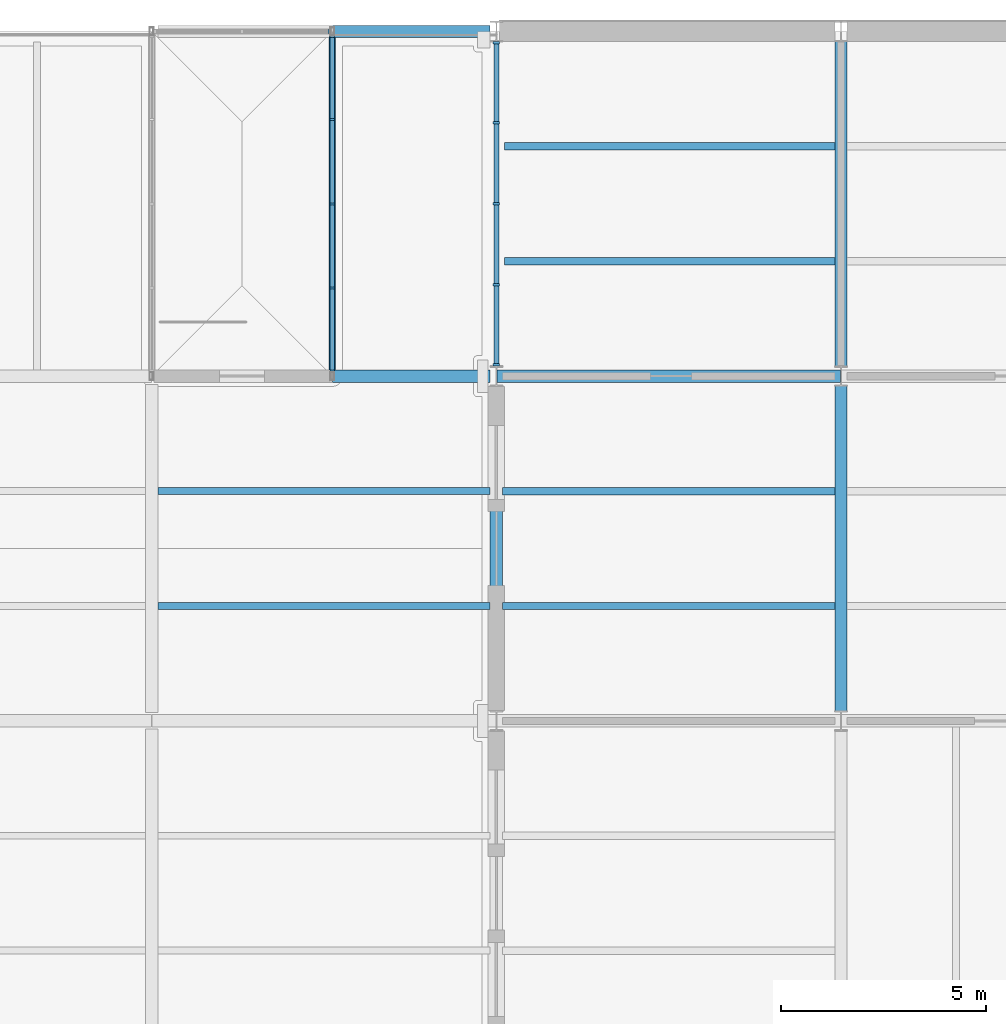
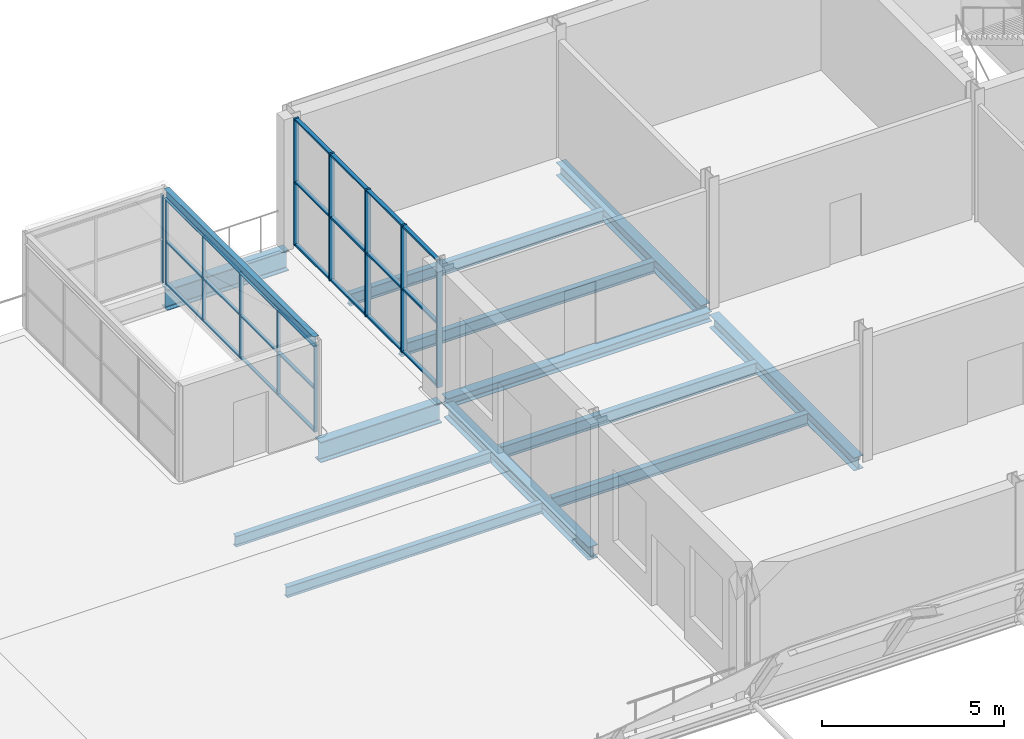
# One storey, part 30 of 58: 35 members, 13 beams, 3 elements without a shape of their own.
"""IFC4 building model written with IfcOpenShell, lengths in metres."""

from ifc_helpers import new_model, si_unit, direction, frame, origin, origin_2d, place, context, subcontext, project, spatial, rectangle, i_section, extrude, material, layer, layer_set, material_profile, profile_set, type_object, element, aggregate, save


model = new_model("IFC4")

# Units and contexts
model_context = context("Model", 3, precision=1e-05, world=origin(), true_north=direction((0.0, 1.0)))
body_context = subcontext(model_context, "Body", "Model", "MODEL_VIEW")
ifc_project = project(units=[si_unit("LENGTHUNIT", "METRE"), si_unit("AREAUNIT", "SQUARE_METRE"), si_unit("VOLUMEUNIT", "CUBIC_METRE"), si_unit("PLANEANGLEUNIT", "RADIAN"), si_unit("MASSUNIT", "GRAM", prefix="KILO")], contexts=[model_context])

# Site, building, storey
site_placement = place(None, origin())
site = spatial("IfcSite", under=ifc_project, at=site_placement, CompositionType="ELEMENT")
building_placement = place(site_placement, origin())
building = spatial("IfcBuilding", under=site, at=building_placement, Name="Galleria Vessillo Department Store", CompositionType="ELEMENT")
storey_placement = place(building_placement, frame((0.0, 0.0, 31.199951171875)))
storey = spatial("IfcBuildingStorey", under=building, at=storey_placement, Name="L06", CompositionType="ELEMENT", Elevation=31.199951171875)

# Curtain wall, members
ifc_material_1 = material(Name="Aluminium and glass curtain wall", Category="aluminium")
ifc_layer_1 = layer(ifc_material_1, 0.10009765625)
ifc_layer_set_1 = layer_set([ifc_layer_1], Name="Aluminium and glass curtain wall")
curtain_wall_type_1 = type_object("IfcCurtainWallType", Name="Pavilion curtain wall CW5 2100 module", PredefinedType="NOTDEFINED", material=ifc_layer_set_1)
curtain_wall_1_placement = place(storey_placement, origin())
curtain_wall_1 = element("IfcCurtainWall", 1, at=curtain_wall_1_placement, inside=storey, type_object=curtain_wall_type_1, Name="Pavilion curtain wall CW5 2100 module PV-ST6-B", PredefinedType="NOTDEFINED")
ifc_material_2 = material(Name="Aluminium alloy 6063 T6", Category="aluminium")
ifc_material_profile_1 = material_profile(ifc_material_2, rectangle(XDim=0.10009765625, YDim=0.050048828125, at=origin_2d()), Name="AL 50x100")
ifc_profile_set_1 = profile_set([ifc_material_profile_1], Name="Aluminium alloy 6063 T6")
member_type_1 = type_object("IfcMemberType", Name="Aluminium mullion 50 x 100", PredefinedType="MULLION", material=ifc_profile_set_1)
member_1_placement = place(storey_placement, frame((80.0, 54.72509765625, 0.0), z_axis=(0.0, 0.0, 1.0), x_axis=(-1.0, 0.0, 0.0)))
member_1 = element("IfcMember", 2, at=member_1_placement, type_object=member_type_1, Name="CW5 mullion 1", PredefinedType="MULLION", context=body_context, shape_type="SweptSolid", body=[
    extrude(rectangle(XDim=0.10009765625, YDim=0.050048828125, at=origin_2d()), origin(), (0.0, 0.0, 1.0), 2.8701171875),
])
member_2_placement = place(storey_placement, frame((80.0, 56.75, 0.0), z_axis=(0.0, 0.0, 1.0), x_axis=(-1.0, 0.0, 0.0)))
member_2 = element("IfcMember", 3, at=member_2_placement, type_object=member_type_1, Name="CW5 mullion 2", PredefinedType="MULLION", context=body_context, shape_type="SweptSolid", body=[
    extrude(rectangle(XDim=0.10009765625, YDim=0.050048828125, at=origin_2d()), origin(), (0.0, 0.0, 1.0), 2.8701171875),
])
member_3_placement = place(storey_placement, frame((80.0, 58.800048828125, 0.0), z_axis=(0.0, 0.0, 1.0), x_axis=(-1.0, 0.0, 0.0)))
member_3 = element("IfcMember", 4, at=member_3_placement, type_object=member_type_1, Name="CW5 mullion 3", PredefinedType="MULLION", context=body_context, shape_type="SweptSolid", body=[
    extrude(rectangle(XDim=0.10009765625, YDim=0.050048828125, at=origin_2d()), origin(), (0.0, 0.0, 1.0), 2.8701171875),
])
member_4_placement = place(storey_placement, frame((80.0, 60.85009765625, 0.0), z_axis=(0.0, 0.0, 1.0), x_axis=(-1.0, 0.0, 0.0)))
member_4 = element("IfcMember", 5, at=member_4_placement, type_object=member_type_1, Name="CW5 mullion 4", PredefinedType="MULLION", context=body_context, shape_type="SweptSolid", body=[
    extrude(rectangle(XDim=0.10009765625, YDim=0.050048828125, at=origin_2d()), origin(), (0.0, 0.0, 1.0), 2.8701171875),
])
member_5_placement = place(storey_placement, frame((80.0, 62.875, 0.0), z_axis=(0.0, 0.0, 1.0), x_axis=(-1.0, 0.0, 0.0)))
member_5 = element("IfcMember", 6, at=member_5_placement, type_object=member_type_1, Name="CW5 mullion 5", PredefinedType="MULLION", context=body_context, shape_type="SweptSolid", body=[
    extrude(rectangle(XDim=0.10009765625, YDim=0.050048828125, at=origin_2d()), origin(), (0.0, 0.0, 1.0), 2.8701171875),
])

# Curtain wall, member
curtain_wall_2_placement = place(storey_placement, origin())
curtain_wall_2 = element("IfcCurtainWall", 7, at=curtain_wall_2_placement, inside=storey, type_object=curtain_wall_type_1, Name="Pavilion curtain wall CW5 2100 module PV-ST6-F", PredefinedType="NOTDEFINED")
member_6_placement = place(storey_placement, frame((79.925048828125, 63.0, 0.0), z_axis=(0.0, 0.0, 1.0), x_axis=(0.0, 1.0, 0.0)))
member_6 = element("IfcMember", 8, at=member_6_placement, type_object=member_type_1, Name="CW5 mullion 3", PredefinedType="MULLION", context=body_context, shape_type="SweptSolid", body=[
    extrude(rectangle(XDim=0.10009765625, YDim=0.050048828125, at=origin_2d()), origin(), (0.0, 0.0, 1.0), 2.960205078125),
])
aggregate(curtain_wall_2, [member_6])

# Curtain wall, members
ifc_material_3 = material(Name="Aluminium and glass curtain wall", Category="aluminium")
ifc_layer_2 = layer(ifc_material_3, 0.159912109375)
ifc_layer_set_2 = layer_set([ifc_layer_2], Name="Aluminium and glass curtain wall")
curtain_wall_type_2 = type_object("IfcCurtainWallType", Name="Tower curtain wall CW4 2100 module", PredefinedType="NOTDEFINED", material=ifc_layer_set_2)
curtain_wall_3_placement = place(storey_placement, origin())
curtain_wall_3 = element("IfcCurtainWall", 9, at=curtain_wall_3_placement, inside=storey, type_object=curtain_wall_type_2, Name="Tower curtain wall CW4 2100 module TW-L06-03", PredefinedType="NOTDEFINED")
ifc_material_4 = material(Name="Aluminium alloy 6063 T6", Category="aluminium")
ifc_material_profile_2 = material_profile(ifc_material_4, rectangle(XDim=0.159912109375, YDim=0.06005859375, at=origin_2d()), Name="AL 60x160")
ifc_profile_set_2 = profile_set([ifc_material_profile_2], Name="Aluminium alloy 6063 T6")
member_type_2 = type_object("IfcMemberType", Name="Aluminium mullion 60 x 160", PredefinedType="MULLION", material=ifc_profile_set_2)
member_7_placement = place(storey_placement, frame((84.0, 54.880126953125, 0.0), z_axis=(0.0, 0.0, 1.0), x_axis=(-1.0, 0.0, 0.0)))
member_7 = element("IfcMember", 10, at=member_7_placement, type_object=member_type_2, Name="CW4 mullion 1", PredefinedType="MULLION", context=body_context, shape_type="SweptSolid", body=[
    extrude(rectangle(XDim=0.159912109375, YDim=0.06005859375, at=origin_2d()), origin(), (0.0, 0.0, 1.0), 4.250244140625),
])
member_8_placement = place(storey_placement, frame((84.0, 56.824951171875, 0.0), z_axis=(0.0, 0.0, 1.0), x_axis=(-1.0, 0.0, 0.0)))
member_8 = element("IfcMember", 11, at=member_8_placement, type_object=member_type_2, Name="CW4 mullion 2", PredefinedType="MULLION", context=body_context, shape_type="SweptSolid", body=[
    extrude(rectangle(XDim=0.159912109375, YDim=0.06005859375, at=origin_2d()), origin(), (0.0, 0.0, 1.0), 4.250244140625),
])
member_9_placement = place(storey_placement, frame((84.0, 58.800048828125, 0.0), z_axis=(0.0, 0.0, 1.0), x_axis=(-1.0, 0.0, 0.0)))
member_9 = element("IfcMember", 12, at=member_9_placement, type_object=member_type_2, Name="CW4 mullion 3", PredefinedType="MULLION", context=body_context, shape_type="SweptSolid", body=[
    extrude(rectangle(XDim=0.159912109375, YDim=0.06005859375, at=origin_2d()), origin(), (0.0, 0.0, 1.0), 4.250244140625),
])
member_10_placement = place(storey_placement, frame((84.0, 60.77490234375, 0.0), z_axis=(0.0, 0.0, 1.0), x_axis=(-1.0, 0.0, 0.0)))
member_10 = element("IfcMember", 13, at=member_10_placement, type_object=member_type_2, Name="CW4 mullion 4", PredefinedType="MULLION", context=body_context, shape_type="SweptSolid", body=[
    extrude(rectangle(XDim=0.159912109375, YDim=0.06005859375, at=origin_2d()), origin(), (0.0, 0.0, 1.0), 4.250244140625),
])
member_11_placement = place(storey_placement, frame((84.0, 62.719970703125, 0.0), z_axis=(0.0, 0.0, 1.0), x_axis=(-1.0, 0.0, 0.0)))
member_11 = element("IfcMember", 14, at=member_11_placement, type_object=member_type_2, Name="CW4 mullion 5", PredefinedType="MULLION", context=body_context, shape_type="SweptSolid", body=[
    extrude(rectangle(XDim=0.159912109375, YDim=0.06005859375, at=origin_2d()), origin(), (0.0, 0.0, 1.0), 4.250244140625),
])

# Member
ifc_material_5 = material(Name="Aluminium alloy 6063 T6", Category="aluminium")
ifc_material_profile_3 = material_profile(ifc_material_5, rectangle(XDim=0.10009765625, YDim=0.050048828125, at=origin_2d()), Name="AL 50x100")
ifc_profile_set_3 = profile_set([ifc_material_profile_3], Name="Aluminium alloy 6063 T6")
member_type_3 = type_object("IfcMemberType", Name="Aluminium transom 50 x 100", PredefinedType="USERDEFINED", material=ifc_profile_set_3)
member_12_placement = place(storey_placement, frame((80.0, 54.75, 0.025146484375), z_axis=(0.0, 1.0, 0.0), x_axis=(-1.0, 0.0, 0.0)))
member_12 = element("IfcMember", 15, at=member_12_placement, type_object=member_type_3, Name="CW5 transom 1.1", ObjectType="TRANSOM", PredefinedType="USERDEFINED", context=body_context, shape_type="SweptSolid", body=[
    extrude(rectangle(XDim=0.10009765625, YDim=0.050048828125, at=origin_2d()), origin(), (0.0, 0.0, 1.0), 1.97509765625),
])

member_13_placement = place(storey_placement, frame((80.0, 54.75, 1.43505859375), z_axis=(0.0, 1.0, 0.0), x_axis=(-1.0, 0.0, 0.0)))
member_13 = element("IfcMember", 16, at=member_13_placement, type_object=member_type_3, Name="CW5 transom 1.2", ObjectType="TRANSOM", PredefinedType="USERDEFINED", context=body_context, shape_type="SweptSolid", body=[
    extrude(rectangle(XDim=0.10009765625, YDim=0.050048828125, at=origin_2d()), origin(), (0.0, 0.0, 1.0), 1.97509765625),
])

member_14_placement = place(storey_placement, frame((80.0, 54.75, 2.84521484375), z_axis=(0.0, 1.0, 0.0), x_axis=(-1.0, 0.0, 0.0)))
member_14 = element("IfcMember", 17, at=member_14_placement, type_object=member_type_3, Name="CW5 transom 1.3", ObjectType="TRANSOM", PredefinedType="USERDEFINED", context=body_context, shape_type="SweptSolid", body=[
    extrude(rectangle(XDim=0.10009765625, YDim=0.050048828125, at=origin_2d()), origin(), (0.0, 0.0, 1.0), 1.97509765625),
])

member_15_placement = place(storey_placement, frame((80.0, 56.775146484375, 0.025146484375), z_axis=(0.0, 1.0, 0.0), x_axis=(-1.0, 0.0, 0.0)))
member_15 = element("IfcMember", 18, at=member_15_placement, type_object=member_type_3, Name="CW5 transom 2.1", ObjectType="TRANSOM", PredefinedType="USERDEFINED", context=body_context, shape_type="SweptSolid", body=[
    extrude(rectangle(XDim=0.10009765625, YDim=0.050048828125, at=origin_2d()), origin(), (0.0, 0.0, 1.0), 2.0),
])

member_16_placement = place(storey_placement, frame((80.0, 56.775146484375, 1.43505859375), z_axis=(0.0, 1.0, 0.0), x_axis=(-1.0, 0.0, 0.0)))
member_16 = element("IfcMember", 19, at=member_16_placement, type_object=member_type_3, Name="CW5 transom 2.2", ObjectType="TRANSOM", PredefinedType="USERDEFINED", context=body_context, shape_type="SweptSolid", body=[
    extrude(rectangle(XDim=0.10009765625, YDim=0.050048828125, at=origin_2d()), origin(), (0.0, 0.0, 1.0), 2.0),
])

member_17_placement = place(storey_placement, frame((80.0, 56.775146484375, 2.84521484375), z_axis=(0.0, 1.0, 0.0), x_axis=(-1.0, 0.0, 0.0)))
member_17 = element("IfcMember", 20, at=member_17_placement, type_object=member_type_3, Name="CW5 transom 2.3", ObjectType="TRANSOM", PredefinedType="USERDEFINED", context=body_context, shape_type="SweptSolid", body=[
    extrude(rectangle(XDim=0.10009765625, YDim=0.050048828125, at=origin_2d()), origin(), (0.0, 0.0, 1.0), 2.0),
])

member_18_placement = place(storey_placement, frame((80.0, 58.824951171875, 0.025146484375), z_axis=(0.0, 1.0, 0.0), x_axis=(-1.0, 0.0, 0.0)))
member_18 = element("IfcMember", 21, at=member_18_placement, type_object=member_type_3, Name="CW5 transom 3.1", ObjectType="TRANSOM", PredefinedType="USERDEFINED", context=body_context, shape_type="SweptSolid", body=[
    extrude(rectangle(XDim=0.10009765625, YDim=0.050048828125, at=origin_2d()), origin(), (0.0, 0.0, 1.0), 2.0),
])

member_19_placement = place(storey_placement, frame((80.0, 58.824951171875, 1.43505859375), z_axis=(0.0, 1.0, 0.0), x_axis=(-1.0, 0.0, 0.0)))
member_19 = element("IfcMember", 22, at=member_19_placement, type_object=member_type_3, Name="CW5 transom 3.2", ObjectType="TRANSOM", PredefinedType="USERDEFINED", context=body_context, shape_type="SweptSolid", body=[
    extrude(rectangle(XDim=0.10009765625, YDim=0.050048828125, at=origin_2d()), origin(), (0.0, 0.0, 1.0), 2.0),
])

member_20_placement = place(storey_placement, frame((80.0, 58.824951171875, 2.84521484375), z_axis=(0.0, 1.0, 0.0), x_axis=(-1.0, 0.0, 0.0)))
member_20 = element("IfcMember", 23, at=member_20_placement, type_object=member_type_3, Name="CW5 transom 3.3", ObjectType="TRANSOM", PredefinedType="USERDEFINED", context=body_context, shape_type="SweptSolid", body=[
    extrude(rectangle(XDim=0.10009765625, YDim=0.050048828125, at=origin_2d()), origin(), (0.0, 0.0, 1.0), 2.0),
])

member_21_placement = place(storey_placement, frame((80.0, 60.875, 0.025146484375), z_axis=(0.0, 1.0, 0.0), x_axis=(-1.0, 0.0, 0.0)))
member_21 = element("IfcMember", 24, at=member_21_placement, type_object=member_type_3, Name="CW5 transom 4.1", ObjectType="TRANSOM", PredefinedType="USERDEFINED", context=body_context, shape_type="SweptSolid", body=[
    extrude(rectangle(XDim=0.10009765625, YDim=0.050048828125, at=origin_2d()), origin(), (0.0, 0.0, 1.0), 1.97509765625),
])

member_22_placement = place(storey_placement, frame((80.0, 60.875, 1.43505859375), z_axis=(0.0, 1.0, 0.0), x_axis=(-1.0, 0.0, 0.0)))
member_22 = element("IfcMember", 25, at=member_22_placement, type_object=member_type_3, Name="CW5 transom 4.2", ObjectType="TRANSOM", PredefinedType="USERDEFINED", context=body_context, shape_type="SweptSolid", body=[
    extrude(rectangle(XDim=0.10009765625, YDim=0.050048828125, at=origin_2d()), origin(), (0.0, 0.0, 1.0), 1.97509765625),
])

member_23_placement = place(storey_placement, frame((80.0, 60.875, 2.84521484375), z_axis=(0.0, 1.0, 0.0), x_axis=(-1.0, 0.0, 0.0)))
member_23 = element("IfcMember", 26, at=member_23_placement, type_object=member_type_3, Name="CW5 transom 4.3", ObjectType="TRANSOM", PredefinedType="USERDEFINED", context=body_context, shape_type="SweptSolid", body=[
    extrude(rectangle(XDim=0.10009765625, YDim=0.050048828125, at=origin_2d()), origin(), (0.0, 0.0, 1.0), 1.97509765625),
])

aggregate(curtain_wall_1, [member_1, member_2, member_3, member_4, member_5, member_12, member_13, member_14, member_15, member_16, member_17, member_18, member_19, member_20, member_21, member_22, member_23])

ifc_material_6 = material(Name="Aluminium alloy 6063 T6", Category="aluminium")
ifc_material_profile_4 = material_profile(ifc_material_6, rectangle(XDim=0.1201171875, YDim=0.06005859375, at=origin_2d()), Name="AL 60x120")
ifc_profile_set_4 = profile_set([ifc_material_profile_4], Name="Aluminium alloy 6063 T6")
member_type_4 = type_object("IfcMemberType", Name="Aluminium transom 60 x 120", PredefinedType="USERDEFINED", material=ifc_profile_set_4)
member_24_placement = place(storey_placement, frame((84.0, 54.91015625, 0.030029296875), z_axis=(0.0, 1.0, 0.0), x_axis=(-1.0, 0.0, 0.0)))
member_24 = element("IfcMember", 27, at=member_24_placement, type_object=member_type_4, Name="CW4 transom 1.1", ObjectType="TRANSOM", PredefinedType="USERDEFINED", context=body_context, shape_type="SweptSolid", body=[
    extrude(rectangle(XDim=0.1201171875, YDim=0.06005859375, at=origin_2d()), origin(), (0.0, 0.0, 1.0), 1.885009765625),
])

member_25_placement = place(storey_placement, frame((84.0, 54.91015625, 2.125244140625), z_axis=(0.0, 1.0, 0.0), x_axis=(-1.0, 0.0, 0.0)))
member_25 = element("IfcMember", 28, at=member_25_placement, type_object=member_type_4, Name="CW4 transom 1.2", ObjectType="TRANSOM", PredefinedType="USERDEFINED", context=body_context, shape_type="SweptSolid", body=[
    extrude(rectangle(XDim=0.1201171875, YDim=0.06005859375, at=origin_2d()), origin(), (0.0, 0.0, 1.0), 1.885009765625),
])

member_26_placement = place(storey_placement, frame((84.0, 54.91015625, 4.22021484375), z_axis=(0.0, 1.0, 0.0), x_axis=(-1.0, 0.0, 0.0)))
member_26 = element("IfcMember", 29, at=member_26_placement, type_object=member_type_4, Name="CW4 transom 1.3", ObjectType="TRANSOM", PredefinedType="USERDEFINED", context=body_context, shape_type="SweptSolid", body=[
    extrude(rectangle(XDim=0.1201171875, YDim=0.06005859375, at=origin_2d()), origin(), (0.0, 0.0, 1.0), 1.885009765625),
])

member_27_placement = place(storey_placement, frame((84.0, 56.85498046875, 0.030029296875), z_axis=(0.0, 1.0, 0.0), x_axis=(-1.0, 0.0, 0.0)))
member_27 = element("IfcMember", 30, at=member_27_placement, type_object=member_type_4, Name="CW4 transom 2.1", ObjectType="TRANSOM", PredefinedType="USERDEFINED", context=body_context, shape_type="SweptSolid", body=[
    extrude(rectangle(XDim=0.1201171875, YDim=0.06005859375, at=origin_2d()), origin(), (0.0, 0.0, 1.0), 1.9150390625),
])

member_28_placement = place(storey_placement, frame((84.0, 56.85498046875, 2.125244140625), z_axis=(0.0, 1.0, 0.0), x_axis=(-1.0, 0.0, 0.0)))
member_28 = element("IfcMember", 31, at=member_28_placement, type_object=member_type_4, Name="CW4 transom 2.2", ObjectType="TRANSOM", PredefinedType="USERDEFINED", context=body_context, shape_type="SweptSolid", body=[
    extrude(rectangle(XDim=0.1201171875, YDim=0.06005859375, at=origin_2d()), origin(), (0.0, 0.0, 1.0), 1.9150390625),
])

member_29_placement = place(storey_placement, frame((84.0, 56.85498046875, 4.22021484375), z_axis=(0.0, 1.0, 0.0), x_axis=(-1.0, 0.0, 0.0)))
member_29 = element("IfcMember", 32, at=member_29_placement, type_object=member_type_4, Name="CW4 transom 2.3", ObjectType="TRANSOM", PredefinedType="USERDEFINED", context=body_context, shape_type="SweptSolid", body=[
    extrude(rectangle(XDim=0.1201171875, YDim=0.06005859375, at=origin_2d()), origin(), (0.0, 0.0, 1.0), 1.9150390625),
])

member_30_placement = place(storey_placement, frame((84.0, 58.830078125, 0.030029296875), z_axis=(0.0, 1.0, 0.0), x_axis=(-1.0, 0.0, 0.0)))
member_30 = element("IfcMember", 33, at=member_30_placement, type_object=member_type_4, Name="CW4 transom 3.1", ObjectType="TRANSOM", PredefinedType="USERDEFINED", context=body_context, shape_type="SweptSolid", body=[
    extrude(rectangle(XDim=0.1201171875, YDim=0.06005859375, at=origin_2d()), origin(), (0.0, 0.0, 1.0), 1.9150390625),
])

member_31_placement = place(storey_placement, frame((84.0, 58.830078125, 2.125244140625), z_axis=(0.0, 1.0, 0.0), x_axis=(-1.0, 0.0, 0.0)))
member_31 = element("IfcMember", 34, at=member_31_placement, type_object=member_type_4, Name="CW4 transom 3.2", ObjectType="TRANSOM", PredefinedType="USERDEFINED", context=body_context, shape_type="SweptSolid", body=[
    extrude(rectangle(XDim=0.1201171875, YDim=0.06005859375, at=origin_2d()), origin(), (0.0, 0.0, 1.0), 1.9150390625),
])

member_32_placement = place(storey_placement, frame((84.0, 58.830078125, 4.22021484375), z_axis=(0.0, 1.0, 0.0), x_axis=(-1.0, 0.0, 0.0)))
member_32 = element("IfcMember", 35, at=member_32_placement, type_object=member_type_4, Name="CW4 transom 3.3", ObjectType="TRANSOM", PredefinedType="USERDEFINED", context=body_context, shape_type="SweptSolid", body=[
    extrude(rectangle(XDim=0.1201171875, YDim=0.06005859375, at=origin_2d()), origin(), (0.0, 0.0, 1.0), 1.9150390625),
])

member_33_placement = place(storey_placement, frame((84.0, 60.804931640625, 0.030029296875), z_axis=(0.0, 1.0, 0.0), x_axis=(-1.0, 0.0, 0.0)))
member_33 = element("IfcMember", 36, at=member_33_placement, type_object=member_type_4, Name="CW4 transom 4.1", ObjectType="TRANSOM", PredefinedType="USERDEFINED", context=body_context, shape_type="SweptSolid", body=[
    extrude(rectangle(XDim=0.1201171875, YDim=0.06005859375, at=origin_2d()), origin(), (0.0, 0.0, 1.0), 1.885009765625),
])

member_34_placement = place(storey_placement, frame((84.0, 60.804931640625, 2.125244140625), z_axis=(0.0, 1.0, 0.0), x_axis=(-1.0, 0.0, 0.0)))
member_34 = element("IfcMember", 37, at=member_34_placement, type_object=member_type_4, Name="CW4 transom 4.2", ObjectType="TRANSOM", PredefinedType="USERDEFINED", context=body_context, shape_type="SweptSolid", body=[
    extrude(rectangle(XDim=0.1201171875, YDim=0.06005859375, at=origin_2d()), origin(), (0.0, 0.0, 1.0), 1.885009765625),
])

member_35_placement = place(storey_placement, frame((84.0, 60.804931640625, 4.22021484375), z_axis=(0.0, 1.0, 0.0), x_axis=(-1.0, 0.0, 0.0)))
member_35 = element("IfcMember", 38, at=member_35_placement, type_object=member_type_4, Name="CW4 transom 4.3", ObjectType="TRANSOM", PredefinedType="USERDEFINED", context=body_context, shape_type="SweptSolid", body=[
    extrude(rectangle(XDim=0.1201171875, YDim=0.06005859375, at=origin_2d()), origin(), (0.0, 0.0, 1.0), 1.885009765625),
])

aggregate(curtain_wall_3, [member_7, member_8, member_9, member_10, member_11, member_24, member_25, member_26, member_27, member_28, member_29, member_30, member_31, member_32, member_33, member_34, member_35])

# Beams
ifc_material_7 = material(Name="Steel S355 J2", Category="steel")
ifc_material_profile_5 = material_profile(ifc_material_7, i_section(OverallWidth=0.300048828125, OverallDepth=0.43994140625, WebThickness=0.011474609375, FlangeThickness=0.02099609375, FilletRadius=0.027099609375, at=origin_2d()), Name="HEA 450")
ifc_profile_set_5 = profile_set([ifc_material_profile_5], Name="Steel S355 J2")
beam_type_1 = type_object("IfcBeamType", Name="Floor girder HEA 450", PredefinedType="BEAM", material=ifc_profile_set_5)
for number, where, z_axis, x_axis, name in (
    (39, (84.0, 46.439208984375, -0.419921875), (0.0, 1.0, 0.0), (-1.0, 0.0, 0.0), "S-BM-L06-GI-y84000-46439"),
    (40, (92.39990234375, 46.439208984375, -0.369873046875), (0.0, 1.0, 0.0), (-1.0, 0.0, 0.0), "S-BM-L06-GI-y92400-46439"),
):
    element("IfcBeam", number, at=place(storey_placement, frame(where, z_axis=z_axis, x_axis=x_axis)), inside=storey, type_object=beam_type_1, Name=name, PredefinedType="BEAM", context=body_context, shape_type="SweptSolid", body=[
        extrude(i_section(OverallWidth=0.300048828125, OverallDepth=0.43994140625, WebThickness=0.011474609375, FlangeThickness=0.02099609375, FilletRadius=0.027099609375, at=origin_2d()), origin(), (0.0, 0.0, 1.0), 7.921630859375),
    ])
beam_1_placement = place(storey_placement, frame((92.39990234375, 54.839111328125, -0.369873046875), z_axis=(0.0, 1.0, 0.0), x_axis=(-1.0, 0.0, 0.0)))
element("IfcBeam", 41, at=beam_1_placement, inside=storey, type_object=beam_type_1, Name="S-BM-L06-GI-y92400-54839", PredefinedType="BEAM", context=body_context, shape_type="SweptSolid", body=[
    extrude(i_section(OverallWidth=0.300048828125, OverallDepth=0.43994140625, WebThickness=0.011474609375, FlangeThickness=0.02099609375, FilletRadius=0.027099609375, at=origin_2d()), origin(), (0.0, 0.0, 1.0), 7.921875),
])
ifc_material_8 = material(Name="Steel S355 J2", Category="steel")
ifc_material_profile_6 = material_profile(ifc_material_8, i_section(OverallWidth=0.169921875, OverallDepth=0.360107421875, WebThickness=0.008056640625, FlangeThickness=0.0126953125, FilletRadius=0.01806640625, at=origin_2d()), Name="IPE 360")
ifc_profile_set_6 = profile_set([ifc_material_profile_6], Name="Steel S355 J2")
beam_type_2 = type_object("IfcBeamType", Name="Floor joist IPE 360", PredefinedType="JOIST", material=ifc_profile_set_6)
for number, where, z_axis, x_axis, name in (
    (42, (75.750244140625, 49.0, -0.3798828125), (1.0, 0.0, 0.0), (0.0, 1.0, 0.0), "S-BM-L06-JO-x49000-75750"),
    (43, (75.750244140625, 51.800048828125, -0.3798828125), (1.0, 0.0, 0.0), (0.0, 1.0, 0.0), "S-BM-L06-JO-x51800-75750"),
):
    element("IfcBeam", number, at=place(storey_placement, frame(where, z_axis=z_axis, x_axis=x_axis)), inside=storey, type_object=beam_type_2, Name=name, PredefinedType="JOIST", context=body_context, shape_type="SweptSolid", body=[
        extrude(i_section(OverallWidth=0.169921875, OverallDepth=0.360107421875, WebThickness=0.008056640625, FlangeThickness=0.0126953125, FilletRadius=0.01806640625, at=origin_2d()), origin(), (0.0, 0.0, 1.0), 8.099609375),
    ])
ifc_material_9 = material(Name="Steel S355 J2", Category="steel")
ifc_material_profile_7 = material_profile(ifc_material_9, i_section(OverallWidth=0.179931640625, OverallDepth=0.39990234375, WebThickness=0.008544921875, FlangeThickness=0.013427734375, FilletRadius=0.02099609375, at=origin_2d()), Name="IPE 400")
ifc_profile_set_7 = profile_set([ifc_material_profile_7], Name="Steel S355 J2")
beam_type_3 = type_object("IfcBeamType", Name="Floor joist IPE 400", PredefinedType="JOIST", material=ifc_profile_set_7)
for number, where, z_axis, x_axis, name in (
    (44, (84.150146484375, 49.0, -0.349853515625), (1.0, 0.0, 0.0), (0.0, 1.0, 0.0), "S-BM-L06-JO-x49000-84150"),
    (45, (84.150146484375, 51.800048828125, -0.349853515625), (1.0, 0.0, 0.0), (0.0, 1.0, 0.0), "S-BM-L06-JO-x51800-84150"),
):
    element("IfcBeam", number, at=place(storey_placement, frame(where, z_axis=z_axis, x_axis=x_axis)), inside=storey, type_object=beam_type_3, Name=name, PredefinedType="JOIST", context=body_context, shape_type="SweptSolid", body=[
        extrude(i_section(OverallWidth=0.179931640625, OverallDepth=0.39990234375, WebThickness=0.008544921875, FlangeThickness=0.013427734375, FilletRadius=0.02099609375, at=origin_2d()), origin(), (0.0, 0.0, 1.0), 8.099609375),
    ])
for number, where, z_axis, x_axis, name in (
    (46, (84.2001953125, 57.39990234375, -0.349853515625), (1.0, 0.0, 0.0), (0.0, 1.0, 0.0), "S-BM-L06-JO-x57400-84200"),
    (47, (84.2001953125, 60.199951171875, -0.349853515625), (1.0, 0.0, 0.0), (0.0, 1.0, 0.0), "S-BM-L06-JO-x60200-84200"),
):
    element("IfcBeam", number, at=place(storey_placement, frame(where, z_axis=z_axis, x_axis=x_axis)), inside=storey, type_object=beam_type_3, Name=name, PredefinedType="JOIST", context=body_context, shape_type="SweptSolid", body=[
        extrude(i_section(OverallWidth=0.179931640625, OverallDepth=0.39990234375, WebThickness=0.008544921875, FlangeThickness=0.013427734375, FilletRadius=0.02099609375, at=origin_2d()), origin(), (0.0, 0.0, 1.0), 8.049560546875),
    ])
ifc_material_10 = material(Name="Steel S355 J2", Category="steel")
ifc_material_profile_8 = material_profile(ifc_material_10, i_section(OverallWidth=0.300048828125, OverallDepth=0.330078125, WebThickness=0.009521484375, FlangeThickness=0.0166015625, FilletRadius=0.027099609375, at=origin_2d()), Name="HEA 340")
ifc_profile_set_8 = profile_set([ifc_material_profile_8], Name="Steel S355 J2")
beam_type_4 = type_object("IfcBeamType", Name="Floor tie girder HEA 340", PredefinedType="BEAM", material=ifc_profile_set_8)
beam_2_placement = place(storey_placement, frame((84.0107421875, 54.60009765625, -0.31494140625), z_axis=(1.0, 0.0, 0.0), x_axis=(0.0, 1.0, 0.0)))
element("IfcBeam", 48, at=beam_2_placement, inside=storey, type_object=beam_type_4, Name="S-BM-L06-TI-x54600-84011", PredefinedType="BEAM", context=body_context, shape_type="SweptSolid", body=[
    extrude(i_section(OverallWidth=0.300048828125, OverallDepth=0.330078125, WebThickness=0.009521484375, FlangeThickness=0.0166015625, FilletRadius=0.027099609375, at=origin_2d()), origin(), (0.0, 0.0, 1.0), 8.378662109375),
])
ifc_material_11 = material(Name="Steel S355 J2", Category="steel")
ifc_material_profile_9 = material_profile(ifc_material_11, i_section(OverallWidth=0.300048828125, OverallDepth=0.68994140625, WebThickness=0.014404296875, FlangeThickness=0.027099609375, FilletRadius=0.027099609375, at=origin_2d()), Name="HEA 700")
ifc_profile_set_9 = profile_set([ifc_material_profile_9], Name="Steel S355 J2")
beam_type_5 = type_object("IfcBeamType", Name="Pavilion base beam HEA 700", PredefinedType="BEAM", material=ifc_profile_set_9)
for number, where, z_axis, x_axis, name in (
    (49, (80.000244140625, 63.0, -0.544921875), (1.0, 0.0, 0.0), (0.0, 1.0, 0.0), "S-BB-ST6-PE2"),
    (50, (80.000244140625, 54.60009765625, -0.544921875), (1.0, 0.0, 0.0), (0.0, 1.0, 0.0), "S-BB-ST6-DE2"),
):
    element("IfcBeam", number, at=place(storey_placement, frame(where, z_axis=z_axis, x_axis=x_axis)), inside=storey, type_object=beam_type_5, Name=name, PredefinedType="BEAM", context=body_context, shape_type="SweptSolid", body=[
        extrude(i_section(OverallWidth=0.300048828125, OverallDepth=0.68994140625, WebThickness=0.014404296875, FlangeThickness=0.027099609375, FilletRadius=0.027099609375, at=origin_2d()), origin(), (0.0, 0.0, 1.0), 3.84619140625),
    ])
ifc_material_12 = material(Name="Steel S355 J2", Category="steel")
ifc_material_profile_10 = material_profile(ifc_material_12, i_section(OverallWidth=0.159912109375, OverallDepth=0.330078125, WebThickness=0.007568359375, FlangeThickness=0.011474609375, FilletRadius=0.01806640625, at=origin_2d()), Name="IPE 330")
ifc_profile_set_10 = profile_set([ifc_material_profile_10], Name="Steel S355 J2")
beam_type_6 = type_object("IfcBeamType", Name="Roof side beam IPE 330", PredefinedType="BEAM", material=ifc_profile_set_10)
beam_3_placement = place(storey_placement, frame((80.0, 62.89990234375, 3.03515625), z_axis=(0.0, -1.0, 0.0), x_axis=(1.0, 0.0, 0.0)))
element("IfcBeam", 51, at=beam_3_placement, inside=storey, type_object=beam_type_6, Name="S-RB-ST6-E", PredefinedType="BEAM", context=body_context, shape_type="SweptSolid", body=[
    extrude(i_section(OverallWidth=0.159912109375, OverallDepth=0.330078125, WebThickness=0.007568359375, FlangeThickness=0.011474609375, FilletRadius=0.01806640625, at=origin_2d()), origin(), (0.0, 0.0, 1.0), 8.19970703125),
])

save(model, "model.ifc")
